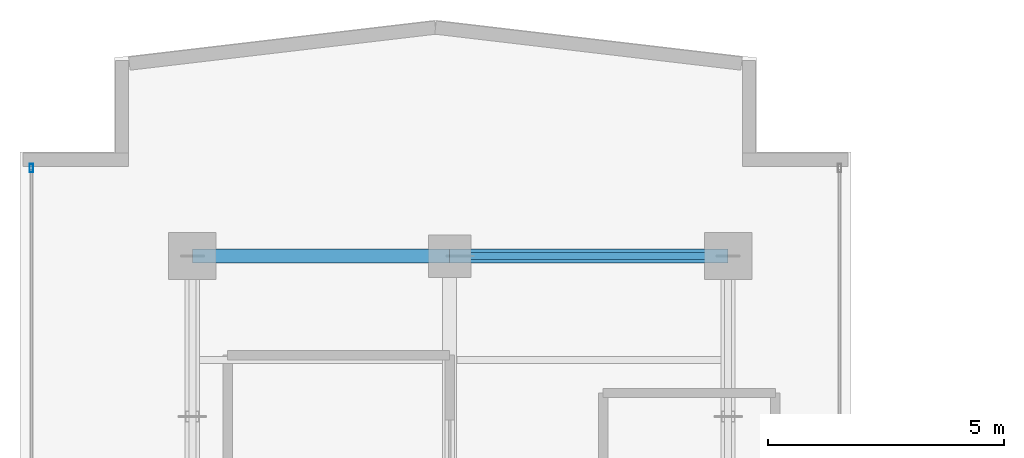
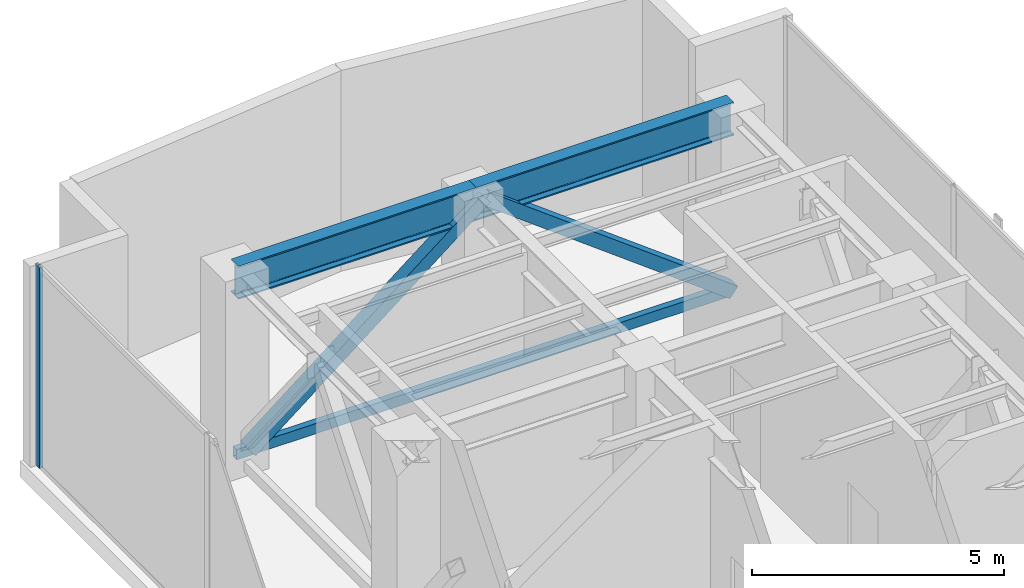
# One storey, part 21 of 31: 4 members, 2 beams, 1 element without a shape of its own.
"""IFC4 building model written with IfcOpenShell, lengths in metres."""

from ifc_helpers import new_model, si_unit, direction, frame, origin, origin_with_axes, origin_2d, place, context, subcontext, project, spatial, hollow_rectangle, i_section, extrude, source, transform, mapped, material, layer, layer_set, material_profile, profile_set, type_object, element, aggregate, save


model = new_model("IFC4")

# Units and contexts
model_context = context("Model", 3, precision=1e-05, world=origin(), true_north=direction((0.0, 1.0)))
body_context = subcontext(model_context, "Body", "Model", "MODEL_VIEW")
ifc_project = project(units=[si_unit("LENGTHUNIT", "METRE"), si_unit("AREAUNIT", "SQUARE_METRE"), si_unit("VOLUMEUNIT", "CUBIC_METRE"), si_unit("PLANEANGLEUNIT", "RADIAN"), si_unit("MASSUNIT", "GRAM", prefix="KILO")], contexts=[model_context])

# Site, building, storey
site_placement = place(None, origin())
site = spatial("IfcSite", under=ifc_project, at=site_placement, CompositionType="ELEMENT")
building_placement = place(site_placement, origin())
building = spatial("IfcBuilding", under=site, at=building_placement, Name="Kolvaren Waterfront Exchange", CompositionType="ELEMENT")
storey_placement = place(building_placement, frame((0.0, 0.0, 257.699951171875)))
storey = spatial("IfcBuildingStorey", under=building, at=storey_placement, Name="L66", CompositionType="ELEMENT", Elevation=257.699951171875)

# Beams
ifc_material_1 = material(Name="Steel S355", Category="steel")
ifc_material_profile_1 = material_profile(ifc_material_1, i_section(OverallWidth=0.300048828125, OverallDepth=0.800048828125, WebThickness=0.017578125, FlangeThickness=0.032958984375, FilletRadius=0.030029296875, at=origin_2d()), Name="HEB800")
ifc_profile_set_1 = profile_set([ifc_material_profile_1], Name="Steel S355")
beam_type = type_object("IfcBeamType", Name="STR-BM-HEB800", PredefinedType="BEAM", material=ifc_profile_set_1)
beam_1_placement = place(storey_placement, frame((7.449951171875, 44.60009765625, 4.4599609375), z_axis=(1.0, 0.0, 0.0), x_axis=(0.0, 1.0, 0.0)))
element("IfcBeam", 1, at=beam_1_placement, inside=storey, type_object=beam_type, Name="L66 north-arm girder 4A", PredefinedType="BEAM", context=body_context, shape_type="SweptSolid", body=[
    extrude(i_section(OverallWidth=0.300048828125, OverallDepth=0.800048828125, WebThickness=0.017578125, FlangeThickness=0.032958984375, FilletRadius=0.030029296875, at=origin_2d()), origin(), (0.0, 0.0, 1.0), 5.449951171875),
])
beam_2_placement = place(storey_placement, frame((12.89990234375, 44.60009765625, 4.4599609375), z_axis=(1.0, 0.0, 0.0), x_axis=(0.0, 1.0, 0.0)))
element("IfcBeam", 2, at=beam_2_placement, inside=storey, type_object=beam_type, Name="L66 north-arm girder 4B", PredefinedType="BEAM", context=body_context, shape_type="SweptSolid", body=[
    extrude(i_section(OverallWidth=0.300048828125, OverallDepth=0.800048828125, WebThickness=0.017578125, FlangeThickness=0.032958984375, FilletRadius=0.030029296875, at=origin_2d()), origin(), (0.0, 0.0, 1.0), 5.900146484375),
])

# Members
ifc_material_2 = material(Name="Steel S460", Category="steel")
ifc_material_profile_2 = material_profile(ifc_material_2, hollow_rectangle(XDim=0.14990234375, YDim=0.25, WallThickness=0.010009765625, at=origin_2d()), Name="RHS250x150x10")
ifc_profile_set_2 = profile_set([ifc_material_profile_2], Name="Steel S460")
member_type_1 = type_object("IfcMemberType", Name="STR-BR-RHS250", PredefinedType="CHORD", material=ifc_profile_set_2)
member_1_placement = place(storey_placement, frame((7.449951171875, 44.60009765625, 0.25), z_axis=(1.0, 0.0, 0.0), x_axis=(0.0, 1.0, 0.0)))
element("IfcMember", 3, at=member_1_placement, inside=storey, type_object=member_type_1, Name="L66 belt-truss bottom chord BT8", PredefinedType="CHORD", context=body_context, shape_type="SweptSolid", body=[
    extrude(hollow_rectangle(XDim=0.14990234375, YDim=0.25, WallThickness=0.010009765625, at=origin_2d()), origin(), (0.0, 0.0, 1.0), 11.35009765625),
])
ifc_material_profile_3 = material_profile(ifc_material_1, hollow_rectangle(XDim=0.300048828125, YDim=0.300048828125, WallThickness=0.01611328125, at=origin_2d()), Name="SHS300x300x16")
ifc_profile_set_3 = profile_set([ifc_material_profile_3], Name="Steel S355")
member_type_2 = type_object("IfcMemberType", Name="STR-BR-SHS300", PredefinedType="BRACE", material=ifc_profile_set_3)
member_2_placement = place(storey_placement, frame((7.75, 44.60009765625, 0.25), z_axis=(0.783705007858, 0.0, 0.621133206855), x_axis=(0.0, 1.0, 0.0)))
element("IfcMember", 4, at=member_2_placement, inside=storey, type_object=member_type_2, Name="L66 belt-truss chevron brace BT8L", PredefinedType="BRACE", context=body_context, shape_type="SweptSolid", body=[
    extrude(hollow_rectangle(XDim=0.300048828125, YDim=0.300048828125, WallThickness=0.01611328125, at=origin_2d()), origin(), (0.0, 0.0, 1.0), 6.8583984375),
])
member_3_placement = place(storey_placement, frame((18.800048828125, 44.60009765625, 0.25), z_axis=(-0.799748083711, 0.0, 0.600335741565), x_axis=(0.0, -1.0, 0.0)))
element("IfcMember", 5, at=member_3_placement, inside=storey, type_object=member_type_2, Name="L66 belt-truss chevron brace BT8R", PredefinedType="BRACE", context=body_context, shape_type="SweptSolid", body=[
    extrude(hollow_rectangle(XDim=0.300048828125, YDim=0.300048828125, WallThickness=0.01611328125, at=origin_2d()), origin(), (0.0, 0.0, 1.0), 7.095947265625),
])

# Curtain wall, member
ifc_material_3 = material(Name="Anodised dark bronze spandrel aluminium", Category="aluminium")
ifc_layer = layer(ifc_material_3, 0.219970703125, Name="Anodised dark bronze spandrel aluminium")
ifc_layer_set = layer_set([ifc_layer], Name="Anodised dark bronze spandrel aluminium")
curtain_wall_type = type_object("IfcCurtainWallType", Name="ARC-CW-SYS6", PredefinedType="USERDEFINED", material=ifc_layer_set)
curtain_wall_placement = place(storey_placement, origin())
curtain_wall = element("IfcCurtainWall", 6, at=curtain_wall_placement, inside=storey, type_object=curtain_wall_type, Name="L66 stick curtain wall CW6 (CW-L66-W)", ObjectType="STICK CURTAIN WALL", PredefinedType="USERDEFINED")
ifc_material_4 = material(Name="Anodised bronze aluminium 6063-T6", Category="aluminium")
ifc_material_profile_4 = material_profile(ifc_material_4, hollow_rectangle(XDim=0.074951171875, YDim=0.179931640625, WallThickness=0.00439453125, at=origin_2d()), Name="ALU-MUL-180x75x4.5")
ifc_profile_set_4 = profile_set([ifc_material_profile_4], Name="Anodised bronze aluminium 6063-T6")
member_type_3 = type_object("IfcMemberType", Name="ARC-CWM-180", PredefinedType="MULLION", material=ifc_profile_set_4)
shared_shape = source(origin_with_axes(), body_context, "Body", "SweptSolid", [
    extrude(hollow_rectangle(XDim=0.074951171875, YDim=0.179931640625, WallThickness=0.00439453125, at=origin_2d()), origin(), (0.0, 0.0, 1.0), 4.860107421875),
])
member_4_placement = place(storey_placement, frame((4.0400390625, 46.46240234375, 0.0), z_axis=(0.0, 0.0, 1.0), x_axis=(-1.0, 0.0, 0.0)))
member_4 = element("IfcMember", 7, at=member_4_placement, type_object=member_type_3, Name="CW6 mullion 7", PredefinedType="MULLION", context=body_context, shape_type="MappedRepresentation", body=[
    mapped(shared_shape, transform((0.0, 0.0, 0.0), x_axis=(1.0, 0.0, 0.0), y_axis=(0.0, 1.0, 0.0), z_axis=(0.0, 0.0, 1.0), scale=1.0)),
])
aggregate(curtain_wall, [member_4])

save(model, "model.ifc")
